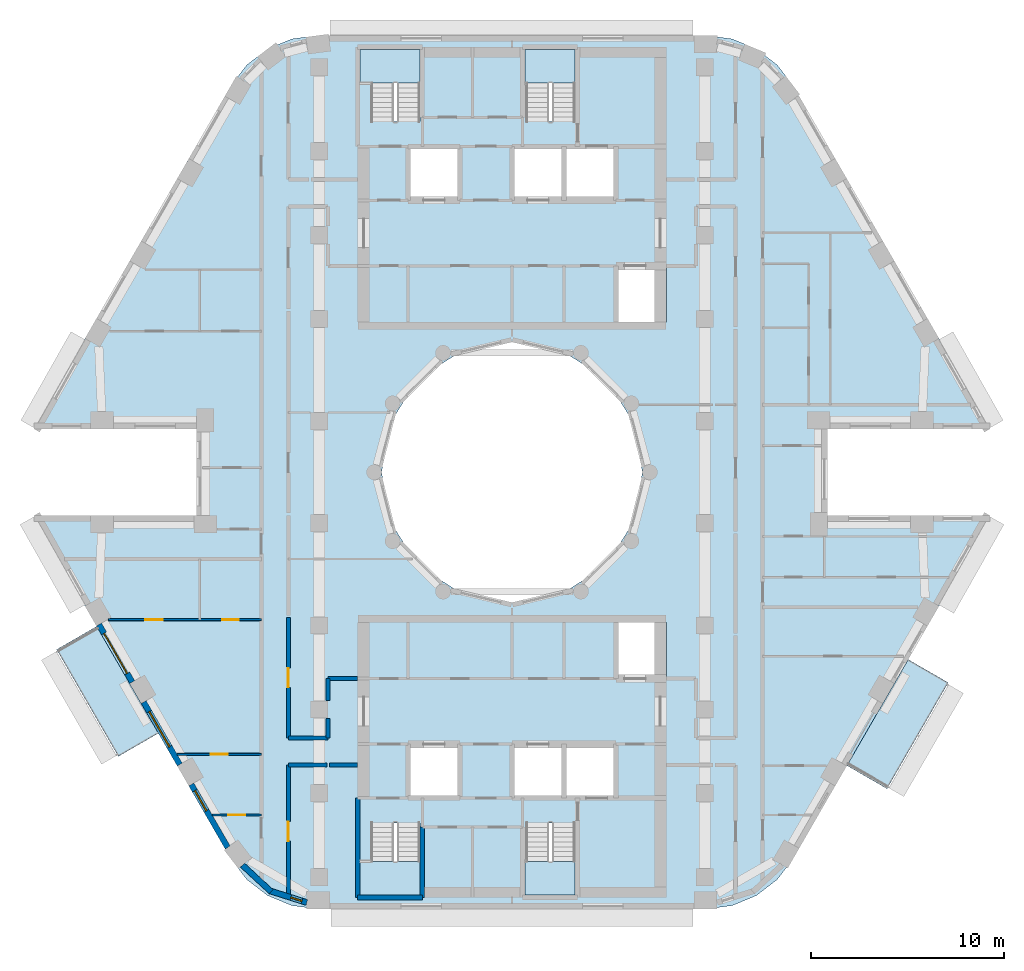
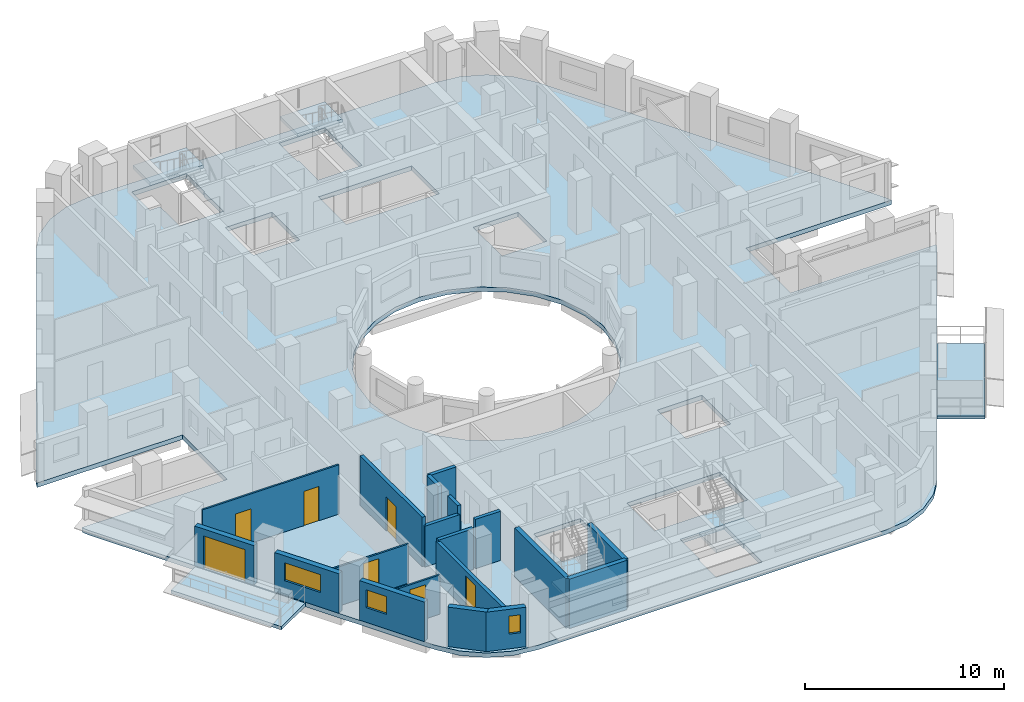
# One storey, part 2 of 16: 19 walls, 7 doors, 7 slabs, 3 windows, 10 openings, 4 elements without a shape of their own.
"""IFC4 building model written with IfcOpenShell, lengths in metres."""

from ifc_helpers import new_model, si_unit, direction, frame, frame_2d, origin, place, context, subcontext, project, spatial, polyline, rectangle, outline, extrude, material, layer, layer_set, type_object, element, fill, aggregate, save


model = new_model("IFC4")

# Units and contexts
model_context = context("Model", 3, precision=1e-05, world=origin(), true_north=direction((0.0, 1.0)))
body_context = subcontext(model_context, "Body", "Model", "MODEL_VIEW")
ifc_project = project(units=[si_unit("LENGTHUNIT", "METRE"), si_unit("AREAUNIT", "SQUARE_METRE"), si_unit("VOLUMEUNIT", "CUBIC_METRE"), si_unit("PLANEANGLEUNIT", "RADIAN"), si_unit("MASSUNIT", "GRAM", prefix="KILO")], contexts=[model_context])

# Site, building, storey
site_placement = place(None, origin())
site = spatial("IfcSite", under=ifc_project, at=site_placement, CompositionType="ELEMENT")
building_placement = place(site_placement, origin())
building = spatial("IfcBuilding", under=site, at=building_placement, Name="Nakaniwa Court", CompositionType="ELEMENT")
storey_placement = place(building_placement, frame((0.0, 0.0, 199.800048828125)))
storey = spatial("IfcBuildingStorey", under=building, at=storey_placement, Name="L52", CompositionType="ELEMENT", Elevation=199.800048828125)

# Slabs
ifc_material_1 = material(Name="Charcoal ceramic paver")
ifc_layer_1 = layer(ifc_material_1, 0.02, Name="Ceramic paver")
ifc_material_2 = material(Name="Cement sand screed")
ifc_layer_2 = layer(ifc_material_2, 0.03, Name="Falls screed")
ifc_material_3 = material(Name="Concrete C40/50", Category="concrete")
ifc_layer_3 = layer(ifc_material_3, 0.15, Name="Balcony slab")
ifc_layer_set_1 = layer_set([ifc_layer_1, ifc_layer_2, ifc_layer_3], Name="Concrete C40/50 balcony slab with ceramic paver finish")
slab_type_1 = type_object("IfcSlabType", Name="Balcony slab 200", PredefinedType="FLOOR", material=ifc_layer_set_1)
slab_1_placement = place(storey_placement, frame((0.0, 0.0, -0.25)))
element("IfcSlab", 1, at=slab_1_placement, inside=storey, type_object=slab_type_1, Name="L52 balcony 01", PredefinedType="FLOOR", context=body_context, shape_type="SweptSolid", body=[
    extrude(outline(polyline([(58.46142578125, 72.005859375), (61.660888671875, 66.464111328125), (59.58251953125, 65.26416015625), (56.383056640625, 70.805908203125), (58.46142578125, 72.005859375)])), origin(), (0.0, 0.0, 1.0), 0.199951171875),
])
slab_2_placement = place(storey_placement, frame((0.0, 0.0, -0.25)))
element("IfcSlab", 2, at=slab_2_placement, inside=storey, type_object=slab_type_1, Name="L52 balcony 02", PredefinedType="FLOOR", context=body_context, shape_type="SweptSolid", body=[
    extrude(outline(polyline([(97.370849609375, 64.787353515625), (100.546875, 70.287841796875), (102.625244140625, 69.087890625), (99.44921875, 63.58740234375), (97.370849609375, 64.787353515625)])), origin(), (0.0, 0.0, 1.0), 0.199951171875),
])
ifc_material_4 = material(Name="Concrete C80/100", Category="concrete")
ifc_layer_4 = layer(ifc_material_4, 0.27490234375)
ifc_layer_set_2 = layer_set([ifc_layer_4], Name="Concrete C80/100")
slab_type_2 = type_object("IfcSlabType", Name="Concrete C80/100 post tensioned floor slab 275", PredefinedType="FLOOR", material=ifc_layer_set_2)
slab_3_placement = place(storey_placement, frame((0.0, 0.0, -0.275146484375)))
element("IfcSlab", 3, at=slab_3_placement, inside=storey, type_object=slab_type_2, Name="FLOOR SLAB", PredefinedType="FLOOR", context=body_context, shape_type="SweptSolid", body=[
    extrude(outline(polyline([(96.349609375, 82.25), (104.7978515625, 82.25), (104.65283203125, 82.60009765625), (94.578125, 100.050048828125), (93.751708984375, 101.126953125), (92.6748046875, 101.953369140625), (91.420654296875, 102.472900390625), (90.07470703125, 102.64990234375), (69.92529296875, 102.64990234375), (68.579345703125, 102.472900390625), (67.3251953125, 101.953369140625), (66.248291015625, 101.126953125), (65.421875, 100.050048828125), (55.34716796875, 82.60009765625), (55.2021484375, 82.25), (63.650390625, 82.25), (63.650390625, 77.75), (55.2021484375, 77.75), (55.34716796875, 77.39990234375), (65.421875, 59.949951171875), (66.248291015625, 58.873046875), (67.3251953125, 58.046630859375), (68.579345703125, 57.527099609375), (69.92529296875, 57.35009765625), (90.07470703125, 57.35009765625), (91.420654296875, 57.527099609375), (92.6748046875, 58.046630859375), (93.751708984375, 58.873046875), (94.578125, 59.949951171875), (104.65283203125, 77.39990234375), (104.7978515625, 77.75), (96.349609375, 77.75), (96.349609375, 82.25)]), holes=[polyline([(81.501953125, 86.580810546875), (80.0, 86.75), (78.498046875, 86.580810546875), (77.0712890625, 86.08154296875), (75.79150390625, 85.27734375), (74.72265625, 84.20849609375), (73.91845703125, 82.9287109375), (73.419189453125, 81.501953125), (73.25, 80.0), (73.419189453125, 78.498046875), (73.91845703125, 77.0712890625), (74.72265625, 75.79150390625), (75.79150390625, 74.72265625), (77.0712890625, 73.91845703125), (78.498046875, 73.419189453125), (80.0, 73.25), (81.501953125, 73.419189453125), (82.9287109375, 73.91845703125), (84.20849609375, 74.72265625), (85.27734375, 75.79150390625), (86.08154296875, 77.0712890625), (86.580810546875, 78.498046875), (86.75, 80.0), (86.580810546875, 81.501953125), (86.08154296875, 82.9287109375), (85.27734375, 84.20849609375), (84.20849609375, 85.27734375), (82.9287109375, 86.08154296875), (81.501953125, 86.580810546875)]), polyline([(72.675048828125, 61.81005859375), (72.675048828125, 59.864990234375), (72.0849609375, 59.864990234375), (72.0849609375, 58.034912109375), (75.264892578125, 58.034912109375), (75.264892578125, 59.864990234375), (75.22509765625, 59.864990234375), (75.22509765625, 61.81005859375), (72.675048828125, 61.81005859375)]), polyline([(77.300048828125, 65.89990234375), (74.60009765625, 65.89990234375), (74.60009765625, 63.10009765625), (77.300048828125, 63.10009765625), (77.300048828125, 65.89990234375)]), polyline([(80.0, 65.89990234375), (80.0, 63.10009765625), (82.699951171875, 63.10009765625), (85.39990234375, 63.10009765625), (85.39990234375, 65.89990234375), (82.699951171875, 65.89990234375), (80.0, 65.89990234375)]), polyline([(77.300048828125, 96.89990234375), (74.60009765625, 96.89990234375), (74.60009765625, 94.10009765625), (77.300048828125, 94.10009765625), (77.300048828125, 96.89990234375)]), polyline([(80.0, 96.89990234375), (80.0, 94.10009765625), (82.699951171875, 94.10009765625), (85.39990234375, 94.10009765625), (85.39990234375, 96.89990234375), (82.699951171875, 96.89990234375), (80.0, 96.89990234375)]), polyline([(75.264892578125, 100.135009765625), (75.264892578125, 101.965087890625), (72.0849609375, 101.965087890625), (72.0849609375, 100.135009765625), (72.675048828125, 100.135009765625), (72.675048828125, 98.18994140625), (75.22509765625, 98.18994140625), (75.22509765625, 100.135009765625), (75.264892578125, 100.135009765625)]), polyline([(83.27490234375, 61.81005859375), (80.72509765625, 61.81005859375), (80.72509765625, 59.864990234375), (80.635009765625, 59.864990234375), (80.635009765625, 58.034912109375), (83.31494140625, 58.034912109375), (83.31494140625, 59.864990234375), (83.27490234375, 59.864990234375), (83.27490234375, 61.81005859375)]), polyline([(88.0, 72.199951171875), (85.39990234375, 72.199951171875), (85.39990234375, 69.300048828125), (88.0, 69.300048828125), (88.0, 72.199951171875)]), polyline([(88.0, 90.699951171875), (85.39990234375, 90.699951171875), (85.39990234375, 87.800048828125), (88.0, 87.800048828125), (88.0, 90.699951171875)]), polyline([(83.31494140625, 100.135009765625), (83.31494140625, 101.965087890625), (80.635009765625, 101.965087890625), (80.635009765625, 100.135009765625), (80.72509765625, 100.135009765625), (80.72509765625, 98.18994140625), (83.27490234375, 98.18994140625), (83.27490234375, 100.135009765625), (83.31494140625, 100.135009765625)])]), origin(), (0.0, 0.0, 1.0), 0.275146484375),
])

# Stair, slab
stair_type = type_object("IfcStairType", Name="Dog leg stair 1200 wide 18 risers", PredefinedType="HALF_TURN_STAIR", material=ifc_material_4)
stair_1_placement = place(storey_placement, origin())
stair_1 = element("IfcStair", 4, at=stair_1_placement, inside=storey, type_object=stair_type, Name="L52 Stair ST1", PredefinedType="HALF_TURN_STAIR")
ifc_layer_5 = layer(ifc_material_4, 0.199951171875)
ifc_layer_set_3 = layer_set([ifc_layer_5], Name="Concrete C80/100")
slab_type_3 = type_object("IfcSlabType", Name="Stair landing concrete", PredefinedType="LANDING", material=ifc_layer_set_3)
slab_4_placement = place(storey_placement, frame((0.0, 0.0, 1.449951171875)))
slab_4 = element("IfcSlab", 5, at=slab_4_placement, type_object=slab_type_3, Name="ST1 landing 1", PredefinedType="LANDING", context=body_context, shape_type="SweptSolid", body=[
    extrude(outline(polyline([(75.22509765625, 100.175048828125), (75.22509765625, 101.925048828125), (72.125, 101.925048828125), (72.125, 100.175048828125), (75.22509765625, 100.175048828125)])), origin(), (0.0, 0.0, 1.0), 0.199951171875),
])
aggregate(stair_1, [slab_4])

stair_2_placement = place(storey_placement, origin())
stair_2 = element("IfcStair", 6, at=stair_2_placement, inside=storey, type_object=stair_type, Name="L52 Stair ST2", PredefinedType="HALF_TURN_STAIR")
slab_5_placement = place(storey_placement, frame((0.0, 0.0, 1.449951171875)))
slab_5 = element("IfcSlab", 7, at=slab_5_placement, type_object=slab_type_3, Name="ST2 landing 1", PredefinedType="LANDING", context=body_context, shape_type="SweptSolid", body=[
    extrude(outline(polyline([(83.27490234375, 100.175048828125), (83.27490234375, 101.925048828125), (80.675048828125, 101.925048828125), (80.675048828125, 100.175048828125), (83.27490234375, 100.175048828125)])), origin(), (0.0, 0.0, 1.0), 0.199951171875),
])
aggregate(stair_2, [slab_5])

stair_3_placement = place(storey_placement, origin())
stair_3 = element("IfcStair", 8, at=stair_3_placement, inside=storey, type_object=stair_type, Name="L52 Stair ST3", PredefinedType="HALF_TURN_STAIR")
slab_6_placement = place(storey_placement, frame((0.0, 0.0, 1.449951171875)))
slab_6 = element("IfcSlab", 9, at=slab_6_placement, type_object=slab_type_3, Name="ST3 landing 1", PredefinedType="LANDING", context=body_context, shape_type="SweptSolid", body=[
    extrude(outline(polyline([(75.22509765625, 58.074951171875), (75.22509765625, 59.824951171875), (72.125, 59.824951171875), (72.125, 58.074951171875), (75.22509765625, 58.074951171875)])), origin(), (0.0, 0.0, 1.0), 0.199951171875),
])
aggregate(stair_3, [slab_6])

stair_4_placement = place(storey_placement, origin())
stair_4 = element("IfcStair", 10, at=stair_4_placement, inside=storey, type_object=stair_type, Name="L52 Stair ST4", PredefinedType="HALF_TURN_STAIR")
slab_7_placement = place(storey_placement, frame((0.0, 0.0, 1.449951171875)))
slab_7 = element("IfcSlab", 11, at=slab_7_placement, type_object=slab_type_3, Name="ST4 landing 1", PredefinedType="LANDING", context=body_context, shape_type="SweptSolid", body=[
    extrude(outline(polyline([(83.27490234375, 58.074951171875), (83.27490234375, 59.824951171875), (80.675048828125, 59.824951171875), (80.675048828125, 58.074951171875), (83.27490234375, 58.074951171875)])), origin(), (0.0, 0.0, 1.0), 0.199951171875),
])
aggregate(stair_4, [slab_7])

# Walls
ifc_material_5 = material(Name="Acoustic double stud partition")
ifc_layer_6 = layer(ifc_material_5, 0.199951171875)
ifc_layer_set_4 = layer_set([ifc_layer_6], Name="Acoustic double stud partition")
wall_type_1 = type_object("IfcWallType", Name="Acoustic double stud partition 200", PredefinedType="PARTITIONING", material=ifc_layer_set_4)
wall_1_placement = place(storey_placement, frame((68.39990234375, 64.824951171875, 0.0), z_axis=(0.0, 0.0, 1.0), x_axis=(1.0, 0.0, 0.0)))
element("IfcWall", 12, at=wall_1_placement, inside=storey, type_object=wall_type_1, Name="Partition PW-075", PredefinedType="PARTITIONING", context=body_context, shape_type="SweptSolid", body=[
    extrude(rectangle(XDim=2.012939453125, YDim=0.199951171875, at=frame_2d((1.00634765625, 0.0))), origin(), (0.0, 0.0, 1.0), 2.5048828125),
])
wall_2_placement = place(storey_placement, frame((70.527099609375, 64.824951171875, 0.0), z_axis=(0.0, 0.0, 1.0), x_axis=(1.0, 0.0, 0.0)))
element("IfcWall", 13, at=wall_2_placement, inside=storey, type_object=wall_type_1, Name="Partition PW-076", PredefinedType="PARTITIONING", context=body_context, shape_type="SweptSolid", body=[
    extrude(rectangle(XDim=1.472900390625, YDim=0.199951171875, at=frame_2d((0.736328125, 0.0))), origin(), (0.0, 0.0, 1.0), 3.02490234375),
])
wall_3_placement = place(storey_placement, frame((70.449951171875, 69.300048828125, 0.0), z_axis=(0.0, 0.0, 1.0), x_axis=(1.0, 0.0, 0.0)))
element("IfcWall", 14, at=wall_3_placement, inside=storey, type_object=wall_type_1, Name="Partition PW-080", PredefinedType="PARTITIONING", context=body_context, shape_type="SweptSolid", body=[
    extrude(rectangle(XDim=1.550048828125, YDim=0.199951171875, at=frame_2d((0.77490234375, 0.0))), origin(), (0.0, 0.0, 1.0), 3.02490234375),
])
wall_4_placement = place(storey_placement, frame((68.39990234375, 66.22509765625, 0.0), z_axis=(0.0, 0.0, 1.0), x_axis=(1.0, 0.0, 0.0)))
element("IfcWall", 15, at=wall_4_placement, inside=storey, type_object=wall_type_1, Name="Partition PW-086", PredefinedType="PARTITIONING", context=body_context, shape_type="SweptSolid", body=[
    extrude(rectangle(XDim=2.050048828125, YDim=0.199951171875, at=frame_2d((1.02490234375, 0.0))), origin(), (0.0, 0.0, 1.0), 2.5048828125),
])

# Wall, opening, door
wall_5_placement = place(storey_placement, frame((68.39990234375, 64.824951171875, 0.0), z_axis=(0.0, 0.0, 1.0), x_axis=(0.0, -1.0, 0.0)))
wall_5 = element("IfcWall", 16, at=wall_5_placement, inside=storey, type_object=wall_type_1, Name="Partition PW-096", PredefinedType="PARTITIONING", context=body_context, shape_type="SweptSolid", body=[
    extrude(rectangle(XDim=6.898681640625, YDim=0.199951171875, at=frame_2d((3.44921875, 0.0))), origin(), (0.0, 0.0, 1.0), 2.405029296875),
])
opening_1_placement = place(wall_5_placement, frame((2.949951171875, 0.0, 0.0)))
opening_1 = element("IfcOpeningElement", 17, at=opening_1_placement, cuts=wall_5, Name="Opening D-02-05", PredefinedType="OPENING", context=body_context, shape_type="SweptSolid", body=[
    extrude(rectangle(XDim=1.0, YDim=2.10009765625, at=frame_2d((0.5, 1.050048828125))), frame((0.0, 0.10986328125, 0.0), z_axis=(0.0, -1.0, 0.0), x_axis=(1.0, 0.0, 0.0)), (0.0, 0.0, 1.0), 0.219970703125),
])
ifc_material_6 = material(Name="Solid core timber door set, black veneer", Category="wood")
door_type_1 = type_object("IfcDoorType", Name="Internal door 1000", OperationType="NOTDEFINED", PredefinedType="DOOR", material=ifc_material_6)
door_1_placement = place(opening_1_placement, origin())
door_1 = element("IfcDoor", 18, at=door_1_placement, inside=storey, type_object=door_type_1, Name="Door D-02-05 L52-042", OperationType="SINGLE_SWING_LEFT", OverallHeight=2.10009765625, OverallWidth=1.0, PredefinedType="DOOR", context=body_context, shape_type="SweptSolid", body=[
    extrude(rectangle(XDim=1.0, YDim=2.10009765625, at=frame_2d((0.5, 1.050048828125))), frame((0.0, 0.02490234375, 0.0), z_axis=(0.0, -1.0, 0.0), x_axis=(1.0, 0.0, 0.0)), (0.0, 0.0, 1.0), 0.050048828125),
])
fill(opening_1, door_1)

wall_6_placement = place(storey_placement, frame((68.39990234375, 72.462890625, 0.0), z_axis=(0.0, 0.0, 1.0), x_axis=(0.0, -1.0, 0.0)))
wall_6 = element("IfcWall", 19, at=wall_6_placement, inside=storey, type_object=wall_type_1, Name="Partition PW-097", PredefinedType="PARTITIONING", context=body_context, shape_type="SweptSolid", body=[
    extrude(rectangle(XDim=6.23779296875, YDim=0.199951171875, at=frame_2d((3.118896484375, 0.0))), origin(), (0.0, 0.0, 1.0), 3.02490234375),
])
opening_2_placement = place(wall_6_placement, frame((2.6201171875, 0.0, 0.0)))
opening_2 = element("IfcOpeningElement", 20, at=opening_2_placement, cuts=wall_6, Name="Opening D-02-06", PredefinedType="OPENING", context=body_context, shape_type="SweptSolid", body=[
    extrude(rectangle(XDim=1.0, YDim=2.10009765625, at=frame_2d((0.5, 1.050048828125))), frame((0.0, 0.10986328125, 0.0), z_axis=(0.0, -1.0, 0.0), x_axis=(1.0, 0.0, 0.0)), (0.0, 0.0, 1.0), 0.219970703125),
])
door_2_placement = place(opening_2_placement, origin())
door_2 = element("IfcDoor", 21, at=door_2_placement, inside=storey, type_object=door_type_1, Name="Door D-02-06 L52-048", OperationType="SINGLE_SWING_LEFT", OverallHeight=2.10009765625, OverallWidth=1.0, PredefinedType="DOOR", context=body_context, shape_type="SweptSolid", body=[
    extrude(rectangle(XDim=1.0, YDim=2.10009765625, at=frame_2d((0.5, 1.050048828125))), frame((0.0, 0.02490234375, 0.0), z_axis=(0.0, -1.0, 0.0), x_axis=(1.0, 0.0, 0.0)), (0.0, 0.0, 1.0), 0.050048828125),
])
fill(opening_2, door_2)

# Walls
wall_7_placement = place(storey_placement, frame((70.449951171875, 66.22509765625, 0.0), z_axis=(0.0, 0.0, 1.0), x_axis=(0.0, 1.0, 0.0)))
element("IfcWall", 22, at=wall_7_placement, inside=storey, type_object=wall_type_1, Name="Partition PW-103", PredefinedType="PARTITIONING", context=body_context, shape_type="SweptSolid", body=[
    extrude(rectangle(XDim=1.0078125, YDim=0.199951171875, at=frame_2d((0.50390625, 0.0))), origin(), (0.0, 0.0, 1.0), 3.02490234375),
])
wall_8_placement = place(storey_placement, frame((70.449951171875, 68.167236328125, 0.0), z_axis=(0.0, 0.0, 1.0), x_axis=(0.0, 1.0, 0.0)))
element("IfcWall", 23, at=wall_8_placement, inside=storey, type_object=wall_type_1, Name="Partition PW-104", PredefinedType="PARTITIONING", context=body_context, shape_type="SweptSolid", body=[
    extrude(rectangle(XDim=1.1328125, YDim=0.199951171875, at=frame_2d((0.56640625, 0.0))), origin(), (0.0, 0.0, 1.0), 3.02490234375),
])

# Wall, opening, door
ifc_material_7 = material(Name="Charcoal ceramic cladding")
ifc_layer_7 = layer(ifc_material_7, 0.02, Name="Ceramic cladding")
ifc_material_8 = material(Name="Ventilated air cavity")
ifc_layer_8 = layer(ifc_material_8, 0.04, ventilated=True, Name="Ventilated cavity")
ifc_material_9 = material(Name="Mineral wool insulation")
ifc_layer_9 = layer(ifc_material_9, 0.1, Name="Insulation")
ifc_material_10 = material(Name="Cement bonded sheathing board")
ifc_layer_10 = layer(ifc_material_10, 0.012, Name="Sheathing")
ifc_material_11 = material(Name="Cold-formed galvanised stud frame with mineral wool infill")
ifc_layer_11 = layer(ifc_material_11, 0.1, Name="Stud frame")
ifc_material_12 = material(Name="Fire-rated gypsum plasterboard lining")
ifc_layer_12 = layer(ifc_material_12, 0.028, Name="Lining")
ifc_layer_set_5 = layer_set([ifc_layer_7, ifc_layer_8, ifc_layer_9, ifc_layer_10, ifc_layer_11, ifc_layer_12], Name="Charcoal ceramic faced external wall system")
wall_type_2 = type_object("IfcWallType", Name="Black ceramic faced external wall 300", PredefinedType="SOLIDWALL", material=ifc_layer_set_5)
wall_9_placement = place(storey_placement, frame((58.579345703125, 72.101806640625, 0.0), z_axis=(0.0, 0.0, 1.0), x_axis=(0.499955427682, -0.866051136095, 0.0)))
wall_9 = element("IfcWall", 24, at=wall_9_placement, inside=storey, type_object=wall_type_2, Name="L52 external wall 21", PredefinedType="SOLIDWALL", context=body_context, shape_type="SweptSolid", body=[
    extrude(rectangle(XDim=3.447021484375, YDim=0.300048828125, at=frame_2d((1.7236328125, 0.0))), origin(), (0.0, 0.0, 1.0), 2.425048828125),
])
opening_3_placement = place(wall_9_placement, frame((0.5234375, 0.0, 0.0)))
opening_3 = element("IfcOpeningElement", 25, at=opening_3_placement, cuts=wall_9, Name="Opening XD13.01", PredefinedType="OPENING", context=body_context, shape_type="SweptSolid", body=[
    extrude(rectangle(XDim=2.39990234375, YDim=2.0, at=frame_2d((1.199951171875, 1.0))), frame((0.0, 0.159912109375, 0.0), z_axis=(0.0, -1.0, 0.0), x_axis=(1.0, 0.0, 0.0)), (0.0, 0.0, 1.0), 0.320068359375),
])
ifc_material_13 = material(Name="Black powder-coated aluminium frame with dark laminated glass", Category="aluminium")
door_type_2 = type_object("IfcDoorType", Name="Balcony sliding door 2400x2000", OperationType="DOUBLE_DOOR_SLIDING", PredefinedType="DOOR", material=ifc_material_13)
door_3_placement = place(opening_3_placement, origin())
door_3 = element("IfcDoor", 26, at=door_3_placement, inside=storey, type_object=door_type_2, Name="L52 balcony sliding door 01", OperationType="DOUBLE_DOOR_SLIDING", OverallHeight=2.0, OverallWidth=2.39990234375, PredefinedType="DOOR", context=body_context, shape_type="SweptSolid", body=[
    extrude(rectangle(XDim=2.39990234375, YDim=2.0, at=frame_2d((1.199951171875, 1.0))), frame((0.0, 0.02490234375, 0.0), z_axis=(0.0, -1.0, 0.0), x_axis=(1.0, 0.0, 0.0)), (0.0, 0.0, 1.0), 0.050048828125),
])
fill(opening_3, door_3)

# Wall, opening, window
wall_10_placement = place(storey_placement, frame((60.898681640625, 68.083984375, 0.0), z_axis=(0.0, 0.0, 1.0), x_axis=(0.500059225181, -0.86599120741, 0.0)))
wall_10 = element("IfcWall", 27, at=wall_10_placement, inside=storey, type_object=wall_type_2, Name="L52 external wall 22", PredefinedType="SOLIDWALL", context=body_context, shape_type="SweptSolid", body=[
    extrude(rectangle(XDim=3.744140625, YDim=0.300048828125, at=frame_2d((1.8720703125, 0.0))), origin(), (0.0, 0.0, 1.0), 2.425048828125),
])
opening_4_placement = place(wall_10_placement, frame((0.57861328125, 0.0, 0.89990234375)))
opening_4 = element("IfcOpeningElement", 28, at=opening_4_placement, cuts=wall_10, Name="Opening W7.23", PredefinedType="OPENING", context=body_context, shape_type="SweptSolid", body=[
    extrude(rectangle(XDim=2.10009765625, YDim=1.10009765625, at=frame_2d((1.050048828125, 0.550048828125))), frame((0.0, 0.159912109375, 0.0), z_axis=(0.0, -1.0, 0.0), x_axis=(1.0, 0.0, 0.0)), (0.0, 0.0, 1.0), 0.320068359375),
])
ifc_material_14 = material(Name="Black anodised aluminium frame with dark low-E laminated double glazing", Category="aluminium")
window_type_1 = type_object("IfcWindowType", Name="Dark glass window 2100x1100 sill 900", PartitioningType="SINGLE_PANEL", PredefinedType="WINDOW", material=ifc_material_14)
window_1_placement = place(opening_4_placement, origin())
window_1 = element("IfcWindow", 29, at=window_1_placement, inside=storey, type_object=window_type_1, Name="L52 living window 22-0", OverallHeight=1.10009765625, OverallWidth=2.10009765625, PartitioningType="SINGLE_PANEL", PredefinedType="WINDOW", context=body_context, shape_type="SweptSolid", body=[
    extrude(rectangle(XDim=2.10009765625, YDim=1.10009765625, at=frame_2d((1.050048828125, 0.550048828125))), frame((0.0, 0.030029296875, 0.0), z_axis=(0.0, -1.0, 0.0), x_axis=(1.0, 0.0, 0.0)), (0.0, 0.0, 1.0), 0.06005859375),
])
fill(opening_4, window_1)

wall_11_placement = place(storey_placement, frame((63.366943359375, 63.809326171875, 0.0), z_axis=(0.0, 0.0, 1.0), x_axis=(0.499961087031, -0.866047869032, 0.0)))
wall_11 = element("IfcWall", 30, at=wall_11_placement, inside=storey, type_object=wall_type_2, Name="L52 external wall 23", PredefinedType="SOLIDWALL", context=body_context, shape_type="SweptSolid", body=[
    extrude(rectangle(XDim=3.778564453125, YDim=0.300048828125, at=frame_2d((1.88916015625, 0.0))), origin(), (0.0, 0.0, 1.0), 2.425048828125),
])
opening_5_placement = place(wall_11_placement, frame((0.375732421875, 0.0, 0.89990234375)))
opening_5 = element("IfcOpeningElement", 31, at=opening_5_placement, cuts=wall_11, Name="Opening W6.24", PredefinedType="OPENING", context=body_context, shape_type="SweptSolid", body=[
    extrude(rectangle(XDim=1.199951171875, YDim=1.10009765625, at=frame_2d((0.60009765625, 0.550048828125))), frame((0.0, 0.159912109375, 0.0), z_axis=(0.0, -1.0, 0.0), x_axis=(1.0, 0.0, 0.0)), (0.0, 0.0, 1.0), 0.320068359375),
])
window_type_2 = type_object("IfcWindowType", Name="Dark glass window 1200x1100 sill 900", PartitioningType="SINGLE_PANEL", PredefinedType="WINDOW", material=ifc_material_14)
window_2_placement = place(opening_5_placement, origin())
window_2 = element("IfcWindow", 32, at=window_2_placement, inside=storey, type_object=window_type_2, Name="L52 habitable room window 23-0", OverallHeight=1.10009765625, OverallWidth=1.199951171875, PartitioningType="SINGLE_PANEL", PredefinedType="WINDOW", context=body_context, shape_type="SweptSolid", body=[
    extrude(rectangle(XDim=1.199951171875, YDim=1.10009765625, at=frame_2d((0.60009765625, 0.550048828125))), frame((0.0, 0.030029296875, 0.0), z_axis=(0.0, -1.0, 0.0), x_axis=(1.0, 0.0, 0.0)), (0.0, 0.0, 1.0), 0.06005859375),
])
fill(opening_5, window_2)

# Wall
wall_12_placement = place(storey_placement, frame((66.0224609375, 59.622314453125, 0.0), z_axis=(0.0, 0.0, 1.0), x_axis=(0.734627852992, -0.678470277616, 0.0)))
element("IfcWall", 33, at=wall_12_placement, inside=storey, type_object=wall_type_2, Name="L52 external wall 24", PredefinedType="SOLIDWALL", context=body_context, shape_type="SweptSolid", body=[
    extrude(rectangle(XDim=2.02587890625, YDim=0.300048828125, at=frame_2d((1.012939453125, 0.0))), origin(), (0.0, 0.0, 1.0), 2.425048828125),
])

# Wall, opening, window
wall_13_placement = place(storey_placement, frame((67.40576171875, 58.3017578125, 0.0), z_axis=(0.0, 0.0, 1.0), x_axis=(0.953537608367, -0.301274010545, 0.0)))
wall_13 = element("IfcWall", 34, at=wall_13_placement, inside=storey, type_object=wall_type_2, Name="L52 external wall 25", PredefinedType="SOLIDWALL", context=body_context, shape_type="SweptSolid", body=[
    extrude(rectangle(XDim=2.0478515625, YDim=0.300048828125, at=frame_2d((1.02392578125, 0.0))), origin(), (0.0, 0.0, 1.0), 2.425048828125),
])
opening_6_placement = place(wall_13_placement, frame((1.1796875, 0.0, 0.89990234375)))
opening_6 = element("IfcOpeningElement", 35, at=opening_6_placement, cuts=wall_13, Name="Opening W8.25", PredefinedType="OPENING", context=body_context, shape_type="SweptSolid", body=[
    extrude(rectangle(XDim=0.60009765625, YDim=1.10009765625, at=frame_2d((0.300048828125, 0.550048828125))), frame((0.0, 0.159912109375, 0.0), z_axis=(0.0, -1.0, 0.0), x_axis=(1.0, 0.0, 0.0)), (0.0, 0.0, 1.0), 0.320068359375),
])
window_type_3 = type_object("IfcWindowType", Name="Dark glass window 600x1100 sill 900", PartitioningType="SINGLE_PANEL", PredefinedType="WINDOW", material=ifc_material_14)
window_3_placement = place(opening_6_placement, origin())
window_3 = element("IfcWindow", 36, at=window_3_placement, inside=storey, type_object=window_type_3, Name="L52 habitable room window 25-1", OverallHeight=1.10009765625, OverallWidth=0.60009765625, PartitioningType="SINGLE_PANEL", PredefinedType="WINDOW", context=body_context, shape_type="SweptSolid", body=[
    extrude(rectangle(XDim=0.60009765625, YDim=1.10009765625, at=frame_2d((0.300048828125, 0.550048828125))), frame((0.0, 0.030029296875, 0.0), z_axis=(0.0, -1.0, 0.0), x_axis=(1.0, 0.0, 0.0)), (0.0, 0.0, 1.0), 0.06005859375),
])
fill(opening_6, window_3)

# Walls
ifc_layer_13 = layer(ifc_material_4, 0.25)
ifc_layer_set_6 = layer_set([ifc_layer_13], Name="Concrete C80/100")
wall_type_3 = type_object("IfcWallType", Name="Concrete core wall 250 C80", PredefinedType="SHEAR", material=ifc_layer_set_6)
wall_14_placement = place(storey_placement, frame((72.0, 57.949951171875, -0.275146484375), z_axis=(0.0, 0.0, 1.0), x_axis=(0.0, 1.0, 0.0)))
element("IfcWall", 37, at=wall_14_placement, inside=storey, type_object=wall_type_3, Name="Core wall SW-59", PredefinedType="SHEAR", context=body_context, shape_type="SweptSolid", body=[
    extrude(rectangle(XDim=5.150146484375, YDim=0.25, at=frame_2d((2.5751953125, 0.0))), origin(), (0.0, 0.0, 1.0), 3.300048828125),
])
wall_15_placement = place(storey_placement, frame((72.0, 57.949951171875, -0.275146484375), z_axis=(0.0, 0.0, 1.0), x_axis=(1.0, 0.0, 0.0)))
element("IfcWall", 38, at=wall_15_placement, inside=storey, type_object=wall_type_3, Name="Core wall SW-60", PredefinedType="SHEAR", context=body_context, shape_type="SweptSolid", body=[
    extrude(rectangle(XDim=3.35009765625, YDim=0.25, at=frame_2d((1.675048828125, 0.0))), origin(), (0.0, 0.0, 1.0), 3.300048828125),
])
ifc_layer_14 = layer(ifc_material_4, 0.25)
ifc_layer_set_7 = layer_set([ifc_layer_14], Name="Concrete C80/100")
wall_type_4 = type_object("IfcWallType", Name="Concrete shaft wall 250 C80", PredefinedType="SHEAR", material=ifc_layer_set_7)
wall_16_placement = place(storey_placement, frame((75.35009765625, 57.949951171875, -0.275146484375), z_axis=(0.0, 0.0, 1.0), x_axis=(0.0, 1.0, 0.0)))
element("IfcWall", 39, at=wall_16_placement, inside=storey, type_object=wall_type_4, Name="Core wall SW-58", PredefinedType="SHEAR", context=body_context, shape_type="SweptSolid", body=[
    extrude(rectangle(XDim=3.653076171875, YDim=0.25, at=frame_2d((1.82666015625, 0.0))), origin(), (0.0, 0.0, 1.0), 3.300048828125),
])

# Wall, opening, door
ifc_material_15 = material(Name="Single stud plasterboard partition")
ifc_layer_15 = layer(ifc_material_15, 0.10009765625)
ifc_layer_set_8 = layer_set([ifc_layer_15], Name="Single stud plasterboard partition")
wall_type_5 = type_object("IfcWallType", Name="Single stud plasterboard partition 100", PredefinedType="PARTITIONING", material=ifc_layer_set_8)
wall_17_placement = place(storey_placement, frame((64.454833984375, 62.22509765625, 0.0), z_axis=(0.0, 0.0, 1.0), x_axis=(1.0, 0.0, 0.0)))
wall_17 = element("IfcWall", 40, at=wall_17_placement, inside=storey, type_object=wall_type_5, Name="Partition PW-111", PredefinedType="PARTITIONING", context=body_context, shape_type="SweptSolid", body=[
    extrude(rectangle(XDim=2.544189453125, YDim=0.10009765625, at=frame_2d((1.27197265625, 0.0))), origin(), (0.0, 0.0, 1.0), 2.405029296875),
])
opening_7_placement = place(wall_17_placement, frame((0.822021484375, 0.0, 0.0)))
opening_7 = element("IfcOpeningElement", 41, at=opening_7_placement, cuts=wall_17, Name="Opening D-33-08", PredefinedType="OPENING", context=body_context, shape_type="SweptSolid", body=[
    extrude(rectangle(XDim=0.89990234375, YDim=2.10009765625, at=frame_2d((0.449951171875, 1.050048828125))), frame((0.0, 0.06005859375, 0.0), z_axis=(0.0, -1.0, 0.0), x_axis=(1.0, 0.0, 0.0)), (0.0, 0.0, 1.0), 0.1201171875),
])
door_type_3 = type_object("IfcDoorType", Name="Internal door 900", OperationType="NOTDEFINED", PredefinedType="DOOR", material=ifc_material_6)
door_4_placement = place(opening_7_placement, origin())
door_4 = element("IfcDoor", 42, at=door_4_placement, inside=storey, type_object=door_type_3, Name="Door D-33-08 L52-044", OperationType="SINGLE_SWING_LEFT", OverallHeight=2.10009765625, OverallWidth=0.89990234375, PredefinedType="DOOR", context=body_context, shape_type="SweptSolid", body=[
    extrude(rectangle(XDim=0.89990234375, YDim=2.10009765625, at=frame_2d((0.449951171875, 1.050048828125))), frame((0.0, 0.02490234375, 0.0), z_axis=(0.0, -1.0, 0.0), x_axis=(1.0, 0.0, 0.0)), (0.0, 0.0, 1.0), 0.050048828125),
])
fill(opening_7, door_4)

wall_18_placement = place(storey_placement, frame((62.639404296875, 65.368896484375, 0.0), z_axis=(0.0, 0.0, 1.0), x_axis=(1.0, 0.0, 0.0)))
wall_18 = element("IfcWall", 43, at=wall_18_placement, inside=storey, type_object=wall_type_5, Name="Partition PW-128", PredefinedType="PARTITIONING", context=body_context, shape_type="SweptSolid", body=[
    extrude(rectangle(XDim=4.359619140625, YDim=0.10009765625, at=frame_2d((2.1796875, 0.0))), origin(), (0.0, 0.0, 1.0), 2.405029296875),
])
opening_8_placement = place(wall_18_placement, frame((1.72998046875, 0.0, 0.0)))
opening_8 = element("IfcOpeningElement", 44, at=opening_8_placement, cuts=wall_18, Name="Opening D-33-09", PredefinedType="OPENING", context=body_context, shape_type="SweptSolid", body=[
    extrude(rectangle(XDim=0.89990234375, YDim=2.10009765625, at=frame_2d((0.449951171875, 1.050048828125))), frame((0.0, 0.06005859375, 0.0), z_axis=(0.0, -1.0, 0.0), x_axis=(1.0, 0.0, 0.0)), (0.0, 0.0, 1.0), 0.1201171875),
])
door_5_placement = place(opening_8_placement, origin())
door_5 = element("IfcDoor", 45, at=door_5_placement, inside=storey, type_object=door_type_3, Name="Door D-33-09 L52-045", OperationType="SINGLE_SWING_RIGHT", OverallHeight=2.10009765625, OverallWidth=0.89990234375, PredefinedType="DOOR", context=body_context, shape_type="SweptSolid", body=[
    extrude(rectangle(XDim=0.89990234375, YDim=2.10009765625, at=frame_2d((0.449951171875, 1.050048828125))), frame((0.0, 0.02490234375, 0.0), z_axis=(0.0, -1.0, 0.0), x_axis=(1.0, 0.0, 0.0)), (0.0, 0.0, 1.0), 0.050048828125),
])
fill(opening_8, door_5)

# Wall, openings, doors
wall_19_placement = place(storey_placement, frame((59.067626953125, 72.35595703125, 0.0), z_axis=(0.0, 0.0, 1.0), x_axis=(1.0, 0.0, 0.0)))
wall_19 = element("IfcWall", 46, at=wall_19_placement, inside=storey, type_object=wall_type_5, Name="Partition PW-129", PredefinedType="PARTITIONING", context=body_context, shape_type="SweptSolid", body=[
    extrude(rectangle(XDim=7.931396484375, YDim=0.10009765625, at=frame_2d((3.9658203125, 0.0))), origin(), (0.0, 0.0, 1.0), 3.02490234375),
])
opening_9_placement = place(wall_19_placement, frame((5.906005859375, 0.0, 0.0)))
opening_9 = element("IfcOpeningElement", 47, at=opening_9_placement, cuts=wall_19, Name="Opening D-03-04", PredefinedType="OPENING", context=body_context, shape_type="SweptSolid", body=[
    extrude(rectangle(XDim=0.85009765625, YDim=2.10009765625, at=frame_2d((0.425048828125, 1.050048828125))), frame((0.0, 0.06005859375, 0.0), z_axis=(0.0, -1.0, 0.0), x_axis=(1.0, 0.0, 0.0)), (0.0, 0.0, 1.0), 0.1201171875),
])
opening_10_placement = place(wall_19_placement, frame((1.916015625, 0.0, 0.0)))
opening_10 = element("IfcOpeningElement", 48, at=opening_10_placement, cuts=wall_19, Name="Opening D-33-10", PredefinedType="OPENING", context=body_context, shape_type="SweptSolid", body=[
    extrude(rectangle(XDim=0.89990234375, YDim=2.10009765625, at=frame_2d((0.449951171875, 1.050048828125))), frame((0.0, 0.06005859375, 0.0), z_axis=(0.0, -1.0, 0.0), x_axis=(1.0, 0.0, 0.0)), (0.0, 0.0, 1.0), 0.1201171875),
])
ifc_material_16 = material(Name="Moisture sealed timber door set", Category="wood")
door_type_4 = type_object("IfcDoorType", Name="Bathroom door 850", OperationType="NOTDEFINED", PredefinedType="DOOR", material=ifc_material_16)
door_6_placement = place(opening_9_placement, origin())
door_6 = element("IfcDoor", 49, at=door_6_placement, inside=storey, type_object=door_type_4, Name="Door D-03-04 L52-046", OperationType="SINGLE_SWING_LEFT", OverallHeight=2.10009765625, OverallWidth=0.85009765625, PredefinedType="DOOR", context=body_context, shape_type="SweptSolid", body=[
    extrude(rectangle(XDim=0.85009765625, YDim=2.10009765625, at=frame_2d((0.425048828125, 1.050048828125))), frame((0.0, 0.02490234375, 0.0), z_axis=(0.0, -1.0, 0.0), x_axis=(1.0, 0.0, 0.0)), (0.0, 0.0, 1.0), 0.050048828125),
])
fill(opening_9, door_6)
door_7_placement = place(opening_10_placement, origin())
door_7 = element("IfcDoor", 50, at=door_7_placement, inside=storey, type_object=door_type_3, Name="Door D-33-10 L52-047", OperationType="SINGLE_SWING_RIGHT", OverallHeight=2.10009765625, OverallWidth=0.89990234375, PredefinedType="DOOR", context=body_context, shape_type="SweptSolid", body=[
    extrude(rectangle(XDim=0.89990234375, YDim=2.10009765625, at=frame_2d((0.449951171875, 1.050048828125))), frame((0.0, 0.02490234375, 0.0), z_axis=(0.0, -1.0, 0.0), x_axis=(1.0, 0.0, 0.0)), (0.0, 0.0, 1.0), 0.050048828125),
])
fill(opening_10, door_7)

save(model, "model.ifc")
